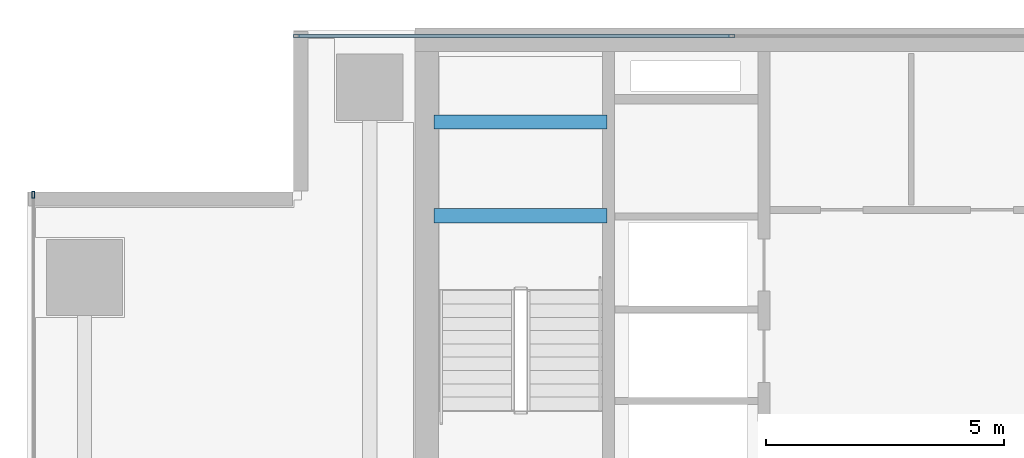
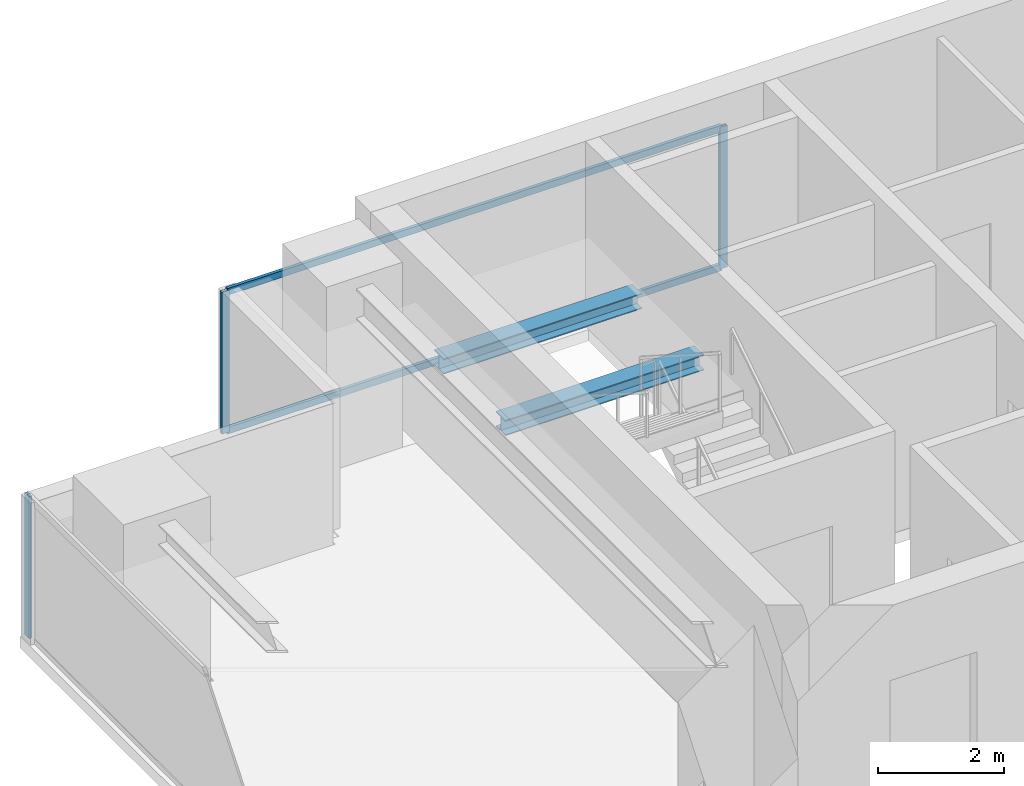
# One storey, part 19 of 28: 5 members, 2 beams, 2 elements without a shape of their own.
"""IFC4 building model written with IfcOpenShell, lengths in metres."""

from ifc_helpers import new_model, si_unit, direction, frame, origin, origin_2d, place, context, subcontext, project, spatial, hollow_rectangle, i_section, extrude, source, transform, mapped, material, layer, layer_set, material_profile, profile_set, type_object, element, aggregate, save


model = new_model("IFC4")

# Units and contexts
model_context = context("Model", 3, precision=1e-05, world=origin(), true_north=direction((0.0, 1.0)))
body_context = subcontext(model_context, "Body", "Model", "MODEL_VIEW")
ifc_project = project(units=[si_unit("LENGTHUNIT", "METRE"), si_unit("AREAUNIT", "SQUARE_METRE"), si_unit("VOLUMEUNIT", "CUBIC_METRE"), si_unit("PLANEANGLEUNIT", "RADIAN"), si_unit("MASSUNIT", "GRAM", prefix="KILO")], contexts=[model_context])

# Site, building, storey
site_placement = place(None, origin())
site = spatial("IfcSite", under=ifc_project, at=site_placement, CompositionType="ELEMENT")
building_placement = place(site_placement, origin())
building = spatial("IfcBuilding", under=site, at=building_placement, Name="Sumidabori Civic Tower", CompositionType="ELEMENT")
storey_placement = place(building_placement, frame((0.0, 0.0, 210.800048828125)))
storey = spatial("IfcBuildingStorey", under=building, at=storey_placement, Name="L54", CompositionType="ELEMENT", Elevation=210.800048828125)

# Beams
ifc_material_1 = material(Name="Steel SN490", Category="steel")
ifc_material_profile_1 = material_profile(ifc_material_1, i_section(OverallWidth=0.300048828125, OverallDepth=0.300048828125, WebThickness=0.010986328125, FlangeThickness=0.01904296875, at=origin_2d()), Name="HE 300 B")
ifc_profile_set_1 = profile_set([ifc_material_profile_1], Name="Steel SN490")
beam_type = type_object("IfcBeamType", Name="BM-LDG-300", PredefinedType="BEAM", material=ifc_profile_set_1)
shared_shape_1 = source(origin(), body_context, "Body", "SweptSolid", [
    extrude(i_section(OverallWidth=0.300048828125, OverallDepth=0.300048828125, WebThickness=0.010986328125, FlangeThickness=0.01904296875, at=origin_2d()), origin(), (0.0, 0.0, 1.0), 3.64990234375),
])
for number, where, z_axis, x_axis, name in (
    (1, (-15.449951171875, 20.09765625, 1.449951171875), (1.0, 0.0, 0.0), (0.0, 1.0, 0.0), "Stair ST-1 Landing Support Beam L54-1A"),
    (2, (-15.449951171875, 22.069580078125, 1.449951171875), (1.0, 0.0, 0.0), (0.0, 1.0, 0.0), "Stair ST-1 Landing Trimmer Beam L54-1B"),
):
    element("IfcBeam", number, at=place(storey_placement, frame(where, z_axis=z_axis, x_axis=x_axis)), inside=storey, type_object=beam_type, Name=name, PredefinedType="BEAM", context=body_context, shape_type="MappedRepresentation", body=[
        mapped(shared_shape_1, transform((0.0, 0.0, 0.0), x_axis=(1.0, 0.0, 0.0), y_axis=(0.0, 1.0, 0.0), z_axis=(0.0, 0.0, 1.0), scale=1.0)),
    ])

# Curtain wall, members
ifc_material_2 = material(Name="Anodised Bronze Aluminium AW-6063-T6", Category="aluminium")
ifc_layer = layer(ifc_material_2, 0.179931640625, Name="Anodised Bronze Aluminium AW-6063-T6")
ifc_layer_set = layer_set([ifc_layer], Name="Anodised Bronze Aluminium AW-6063-T6")
curtain_wall_type = type_object("IfcCurtainWallType", Name="CW-SYS-5", PredefinedType="NOTDEFINED", material=ifc_layer_set)
curtain_wall_1_placement = place(storey_placement, origin())
curtain_wall_1 = element("IfcCurtainWall", 3, at=curtain_wall_1_placement, inside=storey, type_object=curtain_wall_type, Name="Curtain Wall CW:L54:R13", PredefinedType="NOTDEFINED")
ifc_material_profile_2 = material_profile(ifc_material_2, hollow_rectangle(XDim=0.06005859375, YDim=0.139892578125, WallThickness=0.0048828125, at=origin_2d()), Name="ALU MULLION 140x60")
ifc_profile_set_2 = profile_set([ifc_material_profile_2], Name="Anodised Bronze Aluminium AW-6063-T6")
member_type_1 = type_object("IfcMemberType", Name="CW-MUL-140", PredefinedType="MULLION", material=ifc_profile_set_2)
shared_shape_2 = source(origin(), body_context, "Body", "SweptSolid", [
    extrude(hollow_rectangle(XDim=0.06005859375, YDim=0.139892578125, WallThickness=0.0048828125, at=origin_2d()), origin(), (0.0, 0.0, 1.0), 2.760009765625),
])
member_1_placement = place(storey_placement, frame((-9.18505859375, 23.8798828125, 0.0), z_axis=(0.0, 0.0, 1.0), x_axis=(0.0, -1.0, 0.0)))
member_1 = element("IfcMember", 4, at=member_1_placement, type_object=member_type_1, Name="CW-5 mullion 4", PredefinedType="MULLION", context=body_context, shape_type="MappedRepresentation", body=[
    mapped(shared_shape_2, transform((0.0, 0.0, 0.0), x_axis=(1.0, 0.0, 0.0), y_axis=(0.0, 1.0, 0.0), z_axis=(0.0, 0.0, 1.0), scale=1.0)),
])
member_2_placement = place(storey_placement, frame((-18.340087890625, 23.8798828125, 0.0), z_axis=(0.0, 0.0, 1.0), x_axis=(0.0, -1.0, 0.0)))
member_2 = element("IfcMember", 5, at=member_2_placement, type_object=member_type_1, Name="CW-5 mullion 5", PredefinedType="MULLION", context=body_context, shape_type="MappedRepresentation", body=[
    mapped(shared_shape_2, transform((0.0, 0.0, 0.0), x_axis=(1.0, 0.0, 0.0), y_axis=(0.0, 1.0, 0.0), z_axis=(0.0, 0.0, 1.0), scale=1.0)),
])

# Curtain wall, member
curtain_wall_2_placement = place(storey_placement, origin())
curtain_wall_2 = element("IfcCurtainWall", 6, at=curtain_wall_2_placement, inside=storey, type_object=curtain_wall_type, Name="Curtain Wall CW:L54:R16", PredefinedType="NOTDEFINED")
member_3_placement = place(storey_placement, frame((-23.8798828125, 20.5400390625, 0.0), z_axis=(0.0, 0.0, 1.0), x_axis=(1.0, 0.0, 0.0)))
member_3 = element("IfcMember", 7, at=member_3_placement, type_object=member_type_1, Name="CW-5 mullion 1", PredefinedType="MULLION", context=body_context, shape_type="MappedRepresentation", body=[
    mapped(shared_shape_2, transform((0.0, 0.0, 0.0), x_axis=(1.0, 0.0, 0.0), y_axis=(0.0, 1.0, 0.0), z_axis=(0.0, 0.0, 1.0), scale=1.0)),
])
aggregate(curtain_wall_2, [member_3])

# Member
ifc_material_profile_3 = material_profile(ifc_material_2, hollow_rectangle(XDim=0.06005859375, YDim=0.1298828125, WallThickness=0.0048828125, at=origin_2d()), Name="ALU TRANSOM 130x60")
ifc_profile_set_3 = profile_set([ifc_material_profile_3], Name="Anodised Bronze Aluminium AW-6063-T6")
member_type_2 = type_object("IfcMemberType", Name="CW-TRN-130", PredefinedType="USERDEFINED", material=ifc_profile_set_3)
shared_shape_3 = source(origin(), body_context, "Body", "SweptSolid", [
    extrude(hollow_rectangle(XDim=0.06005859375, YDim=0.1298828125, WallThickness=0.0048828125, at=origin_2d()), origin(), (0.0, 0.0, 1.0), 9.094970703125),
])
member_4_placement = place(storey_placement, frame((-9.215087890625, 23.8798828125, 0.030029296875), z_axis=(-1.0, 0.0, 0.0), x_axis=(0.0, -1.0, 0.0)))
member_4 = element("IfcMember", 8, at=member_4_placement, type_object=member_type_2, Name="CW-5 transom 4.1", ObjectType="TRANSOM", PredefinedType="USERDEFINED", context=body_context, shape_type="MappedRepresentation", body=[
    mapped(shared_shape_3, transform((0.0, 0.0, 0.0), x_axis=(1.0, 0.0, 0.0), y_axis=(0.0, 1.0, 0.0), z_axis=(0.0, 0.0, 1.0), scale=1.0)),
])

member_5_placement = place(storey_placement, frame((-9.215087890625, 23.8798828125, 2.72998046875), z_axis=(-1.0, 0.0, 0.0), x_axis=(0.0, -1.0, 0.0)))
member_5 = element("IfcMember", 9, at=member_5_placement, type_object=member_type_2, Name="CW-5 transom 4.2", ObjectType="TRANSOM", PredefinedType="USERDEFINED", context=body_context, shape_type="MappedRepresentation", body=[
    mapped(shared_shape_3, transform((0.0, 0.0, 0.0), x_axis=(1.0, 0.0, 0.0), y_axis=(0.0, 1.0, 0.0), z_axis=(0.0, 0.0, 1.0), scale=1.0)),
])

aggregate(curtain_wall_1, [member_1, member_2, member_4, member_5])

save(model, "model.ifc")
